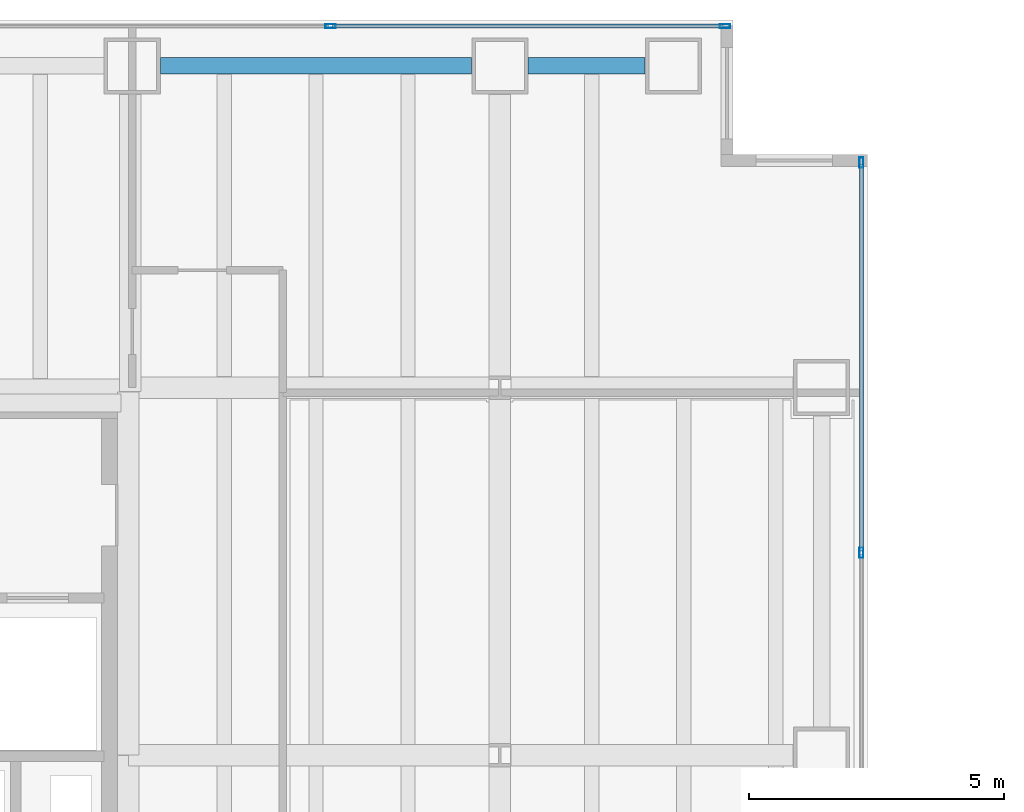
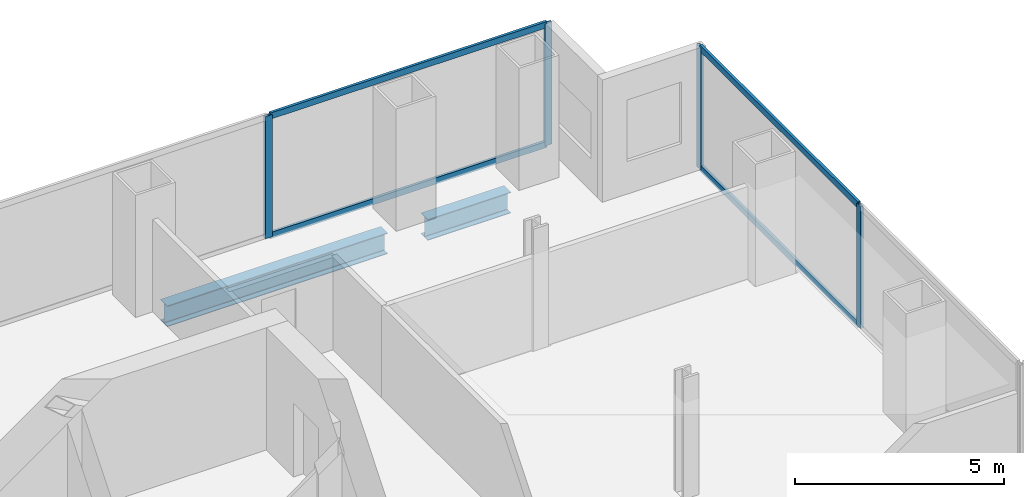
# One storey, part 18 of 25: 8 members, 2 beams, 2 elements without a shape of their own.
"""IFC4 building model written with IfcOpenShell, lengths in metres."""

from ifc_helpers import new_model, si_unit, direction, frame, origin, origin_2d, place, context, subcontext, project, spatial, hollow_rectangle, i_section, extrude, material, material_profile, profile_set, type_object, element, aggregate, save


model = new_model("IFC4")

# Units and contexts
model_context = context("Model", 3, precision=1e-05, world=origin(), true_north=direction((0.0, 1.0)))
body_context = subcontext(model_context, "Body", "Model", "MODEL_VIEW")
ifc_project = project(units=[si_unit("LENGTHUNIT", "METRE"), si_unit("AREAUNIT", "SQUARE_METRE"), si_unit("VOLUMEUNIT", "CUBIC_METRE"), si_unit("PLANEANGLEUNIT", "RADIAN"), si_unit("MASSUNIT", "GRAM", prefix="KILO")], contexts=[model_context])

# Site, building, storey
site_placement = place(None, origin())
site = spatial("IfcSite", under=ifc_project, at=site_placement, CompositionType="ELEMENT")
building_placement = place(site_placement, origin())
building = spatial("IfcBuilding", under=site, at=building_placement, Name="Cobrela Telecom Tower", CompositionType="ELEMENT")
storey_placement = place(building_placement, frame((0.0, 0.0, 42.699951171875)))
storey = spatial("IfcBuildingStorey", under=building, at=storey_placement, Name="L10", CompositionType="ELEMENT", Elevation=42.699951171875)

# Beams
ifc_material_1 = material(Name="Steel ASTM A992 Grade 50", Category="steel")
ifc_material_profile_1 = material_profile(ifc_material_1, i_section(OverallWidth=0.324951171875, OverallDepth=0.612060546875, WebThickness=0.0126953125, FlangeThickness=0.01904296875, FilletRadius=0.014892578125, at=origin_2d()), Name="W24X104")
ifc_profile_set_1 = profile_set([ifc_material_profile_1], Name="Steel ASTM A992 Grade 50")
beam_type = type_object("IfcBeamType", Name="BM-SPAND-02", PredefinedType="SPANDREL", material=ifc_profile_set_1)
beam_1_placement = place(storey_placement, frame((14.955078125, 42.300048828125, -0.5859375), z_axis=(1.0, 0.0, 0.0), x_axis=(0.0, 1.0, 0.0)))
element("IfcBeam", 1, at=beam_1_placement, inside=storey, type_object=beam_type, Name="L10 Perimeter Spandrel X30", PredefinedType="SPANDREL", context=body_context, shape_type="SweptSolid", body=[
    extrude(i_section(OverallWidth=0.324951171875, OverallDepth=0.612060546875, WebThickness=0.0126953125, FlangeThickness=0.01904296875, FilletRadius=0.014892578125, at=origin_2d()), origin(), (0.0, 0.0, 1.0), 6.08984375),
])
beam_2_placement = place(storey_placement, frame((22.155029296875, 42.300048828125, -0.5859375), z_axis=(1.0, 0.0, 0.0), x_axis=(0.0, 1.0, 0.0)))
element("IfcBeam", 2, at=beam_2_placement, inside=storey, type_object=beam_type, Name="L10 Perimeter Spandrel X31", PredefinedType="SPANDREL", context=body_context, shape_type="SweptSolid", body=[
    extrude(i_section(OverallWidth=0.324951171875, OverallDepth=0.612060546875, WebThickness=0.0126953125, FlangeThickness=0.01904296875, FilletRadius=0.014892578125, at=origin_2d()), origin(), (0.0, 0.0, 1.0), 2.2900390625),
])

# Curtain wall, members
ifc_material_2 = material(Name="Anodized Bronze Aluminium 6063-T6", Category="aluminium")
curtain_wall_type = type_object("IfcCurtainWallType", Name="CW-SYS-DATA", PredefinedType="USERDEFINED", material=ifc_material_2)
curtain_wall_1_placement = place(storey_placement, origin())
curtain_wall_1 = element("IfcCurtainWall", 3, at=curtain_wall_1_placement, inside=storey, type_object=curtain_wall_type, Name="L10 Unitised Bronze Curtain Wall 07", ObjectType="UNITISED CURTAIN WALL", PredefinedType="USERDEFINED")
ifc_material_profile_2 = material_profile(ifc_material_2, hollow_rectangle(XDim=0.080078125, YDim=0.199951171875, WallThickness=0.00390625, at=origin_2d()), Name="ALU 80x200x4")
ifc_profile_set_2 = profile_set([ifc_material_profile_2], Name="Anodized Bronze Aluminium 6063-T6")
member_type_1 = type_object("IfcMemberType", Name="CW-SYS-DATA-MUL", PredefinedType="MULLION", material=ifc_profile_set_2)
member_1_placement = place(storey_placement, frame((18.283447265625, 43.080078125, 0.0), z_axis=(0.0, 0.0, 1.0), x_axis=(0.0, 1.0, 0.0)))
member_1 = element("IfcMember", 4, at=member_1_placement, type_object=member_type_1, Name="CW-DATA mullion 3", PredefinedType="MULLION", context=body_context, shape_type="SweptSolid", body=[
    extrude(hollow_rectangle(XDim=0.080078125, YDim=0.199951171875, WallThickness=0.00390625, at=origin_2d()), origin(), (0.0, 0.0, 1.0), 3.570068359375),
])
member_2_placement = place(storey_placement, frame((26.010009765625, 43.080078125, 0.0), z_axis=(0.0, 0.0, 1.0), x_axis=(0.0, 1.0, 0.0)))
member_2 = element("IfcMember", 5, at=member_2_placement, type_object=member_type_1, Name="CW-DATA mullion 4", PredefinedType="MULLION", context=body_context, shape_type="SweptSolid", body=[
    extrude(hollow_rectangle(XDim=0.080078125, YDim=0.199951171875, WallThickness=0.00390625, at=origin_2d()), origin(), (0.0, 0.0, 1.0), 3.570068359375),
])

curtain_wall_2_placement = place(storey_placement, origin())
curtain_wall_2 = element("IfcCurtainWall", 6, at=curtain_wall_2_placement, inside=storey, type_object=curtain_wall_type, Name="L10 Unitised Bronze Curtain Wall 10", ObjectType="UNITISED CURTAIN WALL", PredefinedType="USERDEFINED")
member_3_placement = place(storey_placement, frame((28.679931640625, 40.409912109375, 0.0), z_axis=(0.0, 0.0, 1.0), x_axis=(1.0, 0.0, 0.0)))
member_3 = element("IfcMember", 7, at=member_3_placement, type_object=member_type_1, Name="CW-DATA mullion 1", PredefinedType="MULLION", context=body_context, shape_type="SweptSolid", body=[
    extrude(hollow_rectangle(XDim=0.080078125, YDim=0.199951171875, WallThickness=0.00390625, at=origin_2d()), origin(), (0.0, 0.0, 1.0), 3.570068359375),
])
member_4_placement = place(storey_placement, frame((28.679931640625, 32.764892578125, 0.0), z_axis=(0.0, 0.0, 1.0), x_axis=(1.0, 0.0, 0.0)))
member_4 = element("IfcMember", 8, at=member_4_placement, type_object=member_type_1, Name="CW-DATA mullion 2", PredefinedType="MULLION", context=body_context, shape_type="SweptSolid", body=[
    extrude(hollow_rectangle(XDim=0.080078125, YDim=0.199951171875, WallThickness=0.00390625, at=origin_2d()), origin(), (0.0, 0.0, 1.0), 3.570068359375),
])

# Member
ifc_material_profile_3 = material_profile(ifc_material_2, hollow_rectangle(XDim=0.074951171875, YDim=0.179931640625, WallThickness=0.00390625, at=origin_2d()), Name="ALU 75x180x4")
ifc_profile_set_3 = profile_set([ifc_material_profile_3], Name="Anodized Bronze Aluminium 6063-T6")
member_type_2 = type_object("IfcMemberType", Name="CW-SYS-DATA-TRN", PredefinedType="USERDEFINED", material=ifc_profile_set_3)
member_5_placement = place(storey_placement, frame((18.3232421875, 43.080078125, 0.03759765625), z_axis=(1.0, 0.0, 0.0), x_axis=(0.0, 1.0, 0.0)))
member_5 = element("IfcMember", 9, at=member_5_placement, type_object=member_type_2, Name="CW-DATA transom 3.1", ObjectType="TRANSOM", PredefinedType="USERDEFINED", context=body_context, shape_type="SweptSolid", body=[
    extrude(hollow_rectangle(XDim=0.074951171875, YDim=0.179931640625, WallThickness=0.00390625, at=origin_2d()), origin(), (0.0, 0.0, 1.0), 7.646728515625),
])

member_6_placement = place(storey_placement, frame((18.3232421875, 43.080078125, 3.532470703125), z_axis=(1.0, 0.0, 0.0), x_axis=(0.0, 1.0, 0.0)))
member_6 = element("IfcMember", 10, at=member_6_placement, type_object=member_type_2, Name="CW-DATA transom 3.2", ObjectType="TRANSOM", PredefinedType="USERDEFINED", context=body_context, shape_type="SweptSolid", body=[
    extrude(hollow_rectangle(XDim=0.074951171875, YDim=0.179931640625, WallThickness=0.00390625, at=origin_2d()), origin(), (0.0, 0.0, 1.0), 7.646728515625),
])

aggregate(curtain_wall_1, [member_1, member_2, member_5, member_6])

member_7_placement = place(storey_placement, frame((28.679931640625, 40.3701171875, 0.03759765625), z_axis=(0.0, -1.0, 0.0), x_axis=(1.0, 0.0, 0.0)))
member_7 = element("IfcMember", 11, at=member_7_placement, type_object=member_type_2, Name="CW-DATA transom 1.1", ObjectType="TRANSOM", PredefinedType="USERDEFINED", context=body_context, shape_type="SweptSolid", body=[
    extrude(hollow_rectangle(XDim=0.074951171875, YDim=0.179931640625, WallThickness=0.00390625, at=origin_2d()), origin(), (0.0, 0.0, 1.0), 7.565185546875),
])

member_8_placement = place(storey_placement, frame((28.679931640625, 40.3701171875, 3.532470703125), z_axis=(0.0, -1.0, 0.0), x_axis=(1.0, 0.0, 0.0)))
member_8 = element("IfcMember", 12, at=member_8_placement, type_object=member_type_2, Name="CW-DATA transom 1.2", ObjectType="TRANSOM", PredefinedType="USERDEFINED", context=body_context, shape_type="SweptSolid", body=[
    extrude(hollow_rectangle(XDim=0.074951171875, YDim=0.179931640625, WallThickness=0.00390625, at=origin_2d()), origin(), (0.0, 0.0, 1.0), 7.565185546875),
])

aggregate(curtain_wall_2, [member_3, member_4, member_7, member_8])

save(model, "model.ifc")
